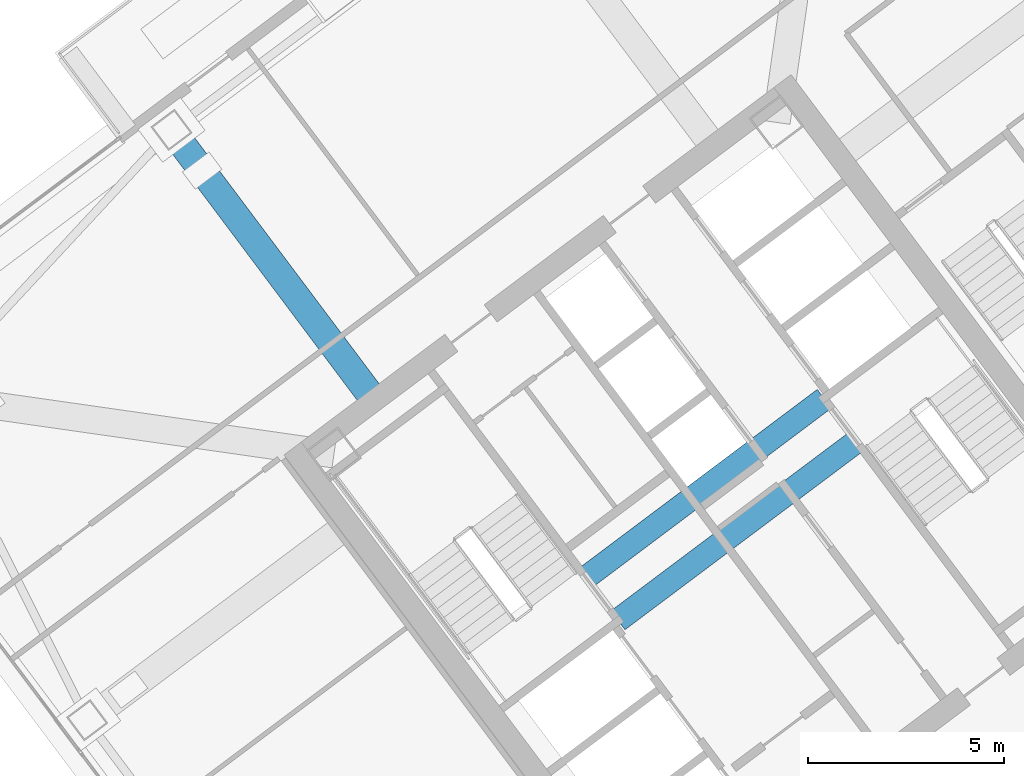
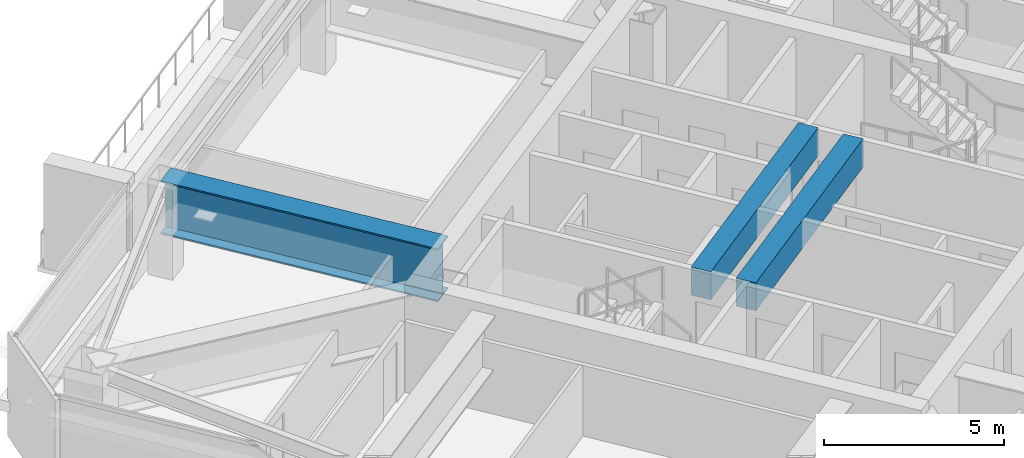
# One storey, part 23 of 42: 3 beams.
"""IFC4 building model written with IfcOpenShell, lengths in metres."""

import ifcopenshell
import ifcopenshell.guid

model = None  # the IFC model being written
_history = None  # IfcOwnerHistory: only IFC2X3 demands one
_inside = {}  # id of a spatial element -> (the spatial element, [elements in it])
_under = {}  # id of a project, library or spatial element -> (it, [spatial elements below it])
_declared = {}  # id of a project -> (the project, [libraries it declares])
_typed = {}  # id of a type object -> (the type object, [elements of that type])
_made_of = {}  # id of a material, layer set ... -> (it, [elements and type objects made of it])


def new_model(schema):
    """Start an empty IFC model of exactly this schema.

    Asked for "IFC4X3", IfcOpenShell would pick the latest addendum, in which some entities
    have other attributes; the version numbers below select the first issue.
    IFC2X3 requires an IfcOwnerHistory on every rooted entity: one is made here for all.
    """
    global model, _history
    if schema == "IFC4X3":
        model = ifcopenshell.file(schema_version=(4, 3, 0, 0))
    else:
        model = ifcopenshell.file(schema=schema)
    _inside.clear()
    _under.clear()
    _declared.clear()
    _typed.clear()
    _made_of.clear()
    _history = None
    if model.schema == "IFC2X3":
        org = make("IfcOrganization", Name="unknown")
        user = make(
            "IfcPersonAndOrganization",
            ThePerson=make("IfcPerson", FamilyName="unknown"),
            TheOrganization=org,
        )
        app = make(
            "IfcApplication",
            ApplicationDeveloper=org,
            Version="unknown",
            ApplicationFullName="unknown",
            ApplicationIdentifier="unknown",
        )
        _history = make(
            "IfcOwnerHistory",
            OwningUser=user,
            OwningApplication=app,
            ChangeAction="ADDED",
            CreationDate=0,
        )
    return model


def make(cls, **values):
    """One entity of the class cls with the attributes given. An attribute that is None is left unset."""
    return model.create_entity(
        cls, **{name: value for name, value in values.items() if value is not None}
    )


def rooted(cls, **values):
    """An entity with a GlobalId (a new one), such as an element, a storey or a relation."""
    return make(cls, GlobalId=ifcopenshell.guid.new(), OwnerHistory=_history, **values)


def si_unit(unit_type, name, prefix=None):
    """IfcSIUnit, for example si_unit("LENGTHUNIT", "METRE", prefix="MILLI")."""
    return make("IfcSIUnit", UnitType=unit_type, Prefix=prefix, Name=name)


def assignment(units):
    """IfcUnitAssignment: the units of a project."""
    return None if units is None else make("IfcUnitAssignment", Units=units)


def point(xyz):
    """IfcCartesianPoint."""
    return None if xyz is None else make("IfcCartesianPoint", Coordinates=xyz)


def direction(xyz):
    """IfcDirection."""
    return None if xyz is None else make("IfcDirection", DirectionRatios=xyz)


def frame(location, z_axis=None, x_axis=None):
    """IfcAxis2Placement3D, a coordinate frame: its origin and axes. An axis left out is left unset."""
    return make(
        "IfcAxis2Placement3D",
        Location=point(location),
        Axis=direction(z_axis),
        RefDirection=direction(x_axis),
    )


def frame_2d(location, x_axis=None):
    """IfcAxis2Placement2D, a coordinate frame in the plane: its origin and x axis."""
    return make(
        "IfcAxis2Placement2D", Location=point(location), RefDirection=direction(x_axis)
    )


def origin():
    """The frame at (0, 0, 0) with its axes left unset."""
    return frame((0.0, 0.0, 0.0))


def origin_2d():
    """The frame at (0, 0) in the plane with its x axis left unset."""
    return frame_2d((0.0, 0.0))


def place(relative_to, where):
    """IfcLocalPlacement: puts the frame where relative to a parent placement (None: the world)."""
    return make(
        "IfcLocalPlacement", PlacementRelTo=relative_to, RelativePlacement=where
    )


def context(
    kind, dimensions, precision=None, world=None, true_north=None, identifier=None
):
    """IfcGeometricRepresentationContext, for example the 3D "Model" context."""
    return make(
        "IfcGeometricRepresentationContext",
        ContextIdentifier=identifier,
        ContextType=kind,
        CoordinateSpaceDimension=dimensions,
        Precision=precision,
        WorldCoordinateSystem=world,
        TrueNorth=true_north,
    )


def subcontext(parent, identifier, kind, view, scale=None):
    """IfcGeometricRepresentationSubContext, for example "Body" below "Model"."""
    return make(
        "IfcGeometricRepresentationSubContext",
        ContextIdentifier=identifier,
        ContextType=kind,
        ParentContext=parent,
        TargetScale=scale,
        TargetView=view,
    )


def project(units=None, contexts=None):
    """IfcProject with its units and contexts."""
    return rooted(
        "IfcProject",
        Name="project",
        RepresentationContexts=contexts,
        UnitsInContext=assignment(units),
    )


def spatial(cls, under=None, at=None, **own):
    """A site, building, storey or space (cls), placed at a placement, below another one or the project."""
    s = rooted(cls, ObjectPlacement=at, **own)
    if under is not None:
        _under.setdefault(under.id(), (under, []))[1].append(s)
    return s


def profile(cls, at=None, kind="AREA", **sizes):
    """A parametric profile (cls). Its sizes go by their IFC names, for example OverallWidth=200.0."""
    return make(cls, ProfileType=kind, Position=at, **sizes)


def rectangle(**sizes):
    """IfcRectangleProfileDef."""
    return profile("IfcRectangleProfileDef", **sizes)


def i_section(**sizes):
    """IfcIShapeProfileDef."""
    return profile("IfcIShapeProfileDef", **sizes)


def extrude(swept, where, along, depth):
    """IfcExtrudedAreaSolid: the profile swept, set in the frame where, extruded along a direction by depth."""
    return make(
        "IfcExtrudedAreaSolid",
        SweptArea=swept,
        Position=where,
        ExtrudedDirection=direction(along),
        Depth=depth,
    )


def shape(context_of_items, identifier, shape_type, items):
    """IfcShapeRepresentation: the items that make up one representation, for example the "Body"."""
    return make(
        "IfcShapeRepresentation",
        ContextOfItems=context_of_items,
        RepresentationIdentifier=identifier,
        RepresentationType=shape_type,
        Items=items,
    )


def material(Name=None, Category=None):
    """IfcMaterial."""
    return make("IfcMaterial", Name=Name, Category=Category)


def material_profile(
    of_material, cross_section, Name=None, Category=None, Priority=None
):
    """IfcMaterialProfile: a cross section and its material."""
    return make(
        "IfcMaterialProfile",
        Name=Name,
        Material=of_material,
        Profile=cross_section,
        Priority=Priority,
        Category=Category,
    )


def profile_set(profiles, Name=None, composite=None):
    """IfcMaterialProfileSet."""
    return make(
        "IfcMaterialProfileSet",
        Name=Name,
        MaterialProfiles=profiles,
        CompositeProfile=composite,
    )


def made_of(thing, what):
    """Note that an element or type object is made of a material, layer set ...; save() writes the relation."""
    if what is not None:
        _made_of.setdefault(what.id(), (what, []))[1].append(thing)
    return thing


def type_object(cls, material=None, **own):
    """A type object (cls), such as IfcWallType, which elements share."""
    return made_of(rooted(cls, **own), material)


def element(
    cls,
    number,
    at=None,
    inside=None,
    cuts=None,
    type_object=None,
    material=None,
    context=None,
    identifier="Body",
    shape_type=None,
    held_by="IfcProductDefinitionShape",
    body=None,
    shapes=None,
    **own,
):
    """One element of the class cls, such as IfcWall. Its Tag is "e" and its number.

    at: its placement. inside: the storey or other place that contains it. cuts: it is an
    opening in that element (IfcRelVoidsElement). A single representation is given by context,
    identifier, shape_type and body (its items); several are given by shapes. held_by: the class
    of the entity that holds the representations. save() writes the other relations.
    """
    e = rooted(cls, Tag="e%d" % number, ObjectPlacement=at, **own)
    if body is not None:
        shapes = [shape(context, identifier, shape_type, body)]
    if shapes is not None:
        e.Representation = make(held_by, Representations=shapes)
    if inside is not None:
        _inside.setdefault(inside.id(), (inside, []))[1].append(e)
    if cuts is not None:
        rooted(
            "IfcRelVoidsElement", RelatingBuildingElement=cuts, RelatedOpeningElement=e
        )
    if type_object is not None:
        _typed.setdefault(type_object.id(), (type_object, []))[1].append(e)
    return made_of(e, material)


def aggregate(whole, parts):
    """IfcRelAggregates: a whole, such as a stair, and the parts it consists of."""
    return rooted("IfcRelAggregates", RelatingObject=whole, RelatedObjects=parts)


def save(model, path):
    """Write the relations noted so far, then the file.

    IfcRelAggregates (storeys below a building ...), IfcRelContainedInSpatialStructure (elements
    in a storey), IfcRelDefinesByType, IfcRelAssociatesMaterial and IfcRelDeclares: one each for
    every whole, place, type object, material and project.
    """
    for whole, parts in _under.values():
        aggregate(whole, parts)
    for where, things in _inside.values():
        rooted(
            "IfcRelContainedInSpatialStructure",
            RelatedElements=things,
            RelatingStructure=where,
        )
    for kind, things in _typed.values():
        rooted("IfcRelDefinesByType", RelatedObjects=things, RelatingType=kind)
    for what, things in _made_of.values():
        rooted("IfcRelAssociatesMaterial", RelatedObjects=things, RelatingMaterial=what)
    for by, libraries in _declared.values():
        rooted("IfcRelDeclares", RelatingContext=by, RelatedDefinitions=libraries)
    model.write(path)


model = new_model("IFC4")

# Units and contexts
model_context = context("Model", 3, precision=1e-05, world=origin(), true_north=direction((0.0, 1.0)))
body_context = subcontext(model_context, "Body", "Model", "MODEL_VIEW")
ifc_project = project(units=[si_unit("LENGTHUNIT", "METRE"), si_unit("AREAUNIT", "SQUARE_METRE"), si_unit("VOLUMEUNIT", "CUBIC_METRE"), si_unit("PLANEANGLEUNIT", "RADIAN"), si_unit("MASSUNIT", "GRAM", prefix="KILO")], contexts=[model_context])

# Site, building, storey
site_placement = place(None, origin())
site = spatial("IfcSite", under=ifc_project, at=site_placement, CompositionType="ELEMENT")
building_placement = place(site_placement, origin())
building = spatial("IfcBuilding", under=site, at=building_placement, Name="Tashvorn Skyway Center", CompositionType="ELEMENT")
storey_placement = place(building_placement, frame((0.0, 0.0, 196.050048828125)))
storey = spatial("IfcBuildingStorey", under=building, at=storey_placement, Name="L53", CompositionType="ELEMENT", Elevation=196.050048828125)

# Beams
ifc_material_1 = material(Name="Steel ASTM A572 Grade 50", Category="steel")
ifc_material_profile_1 = material_profile(ifc_material_1, i_section(OverallWidth=0.699951171875, OverallDepth=1.800048828125, WebThickness=0.031982421875, FlangeThickness=0.050048828125, at=origin_2d()), Name="PG1800x700")
ifc_profile_set_1 = profile_set([ifc_material_profile_1], Name="Steel ASTM A572 Grade 50")
beam_type_1 = type_object("IfcBeamType", Name="BM-BEAM-PG1800x700", PredefinedType="BEAM", material=ifc_profile_set_1)
beam_placement = place(storey_placement, frame((99.989990234375, 41.679931640625, 2.349853515625), z_axis=(0.599995333035, -0.800003500202, 0.0), x_axis=(0.800003500202, 0.599995333035, 0.0)))
element("IfcBeam", 1, at=beam_placement, inside=storey, type_object=beam_type_1, Name="Tower 2 L53 Setback Transfer Girder FC-N2", PredefinedType="BEAM", context=body_context, shape_type="SweptSolid", body=[
    extrude(i_section(OverallWidth=0.699951171875, OverallDepth=1.800048828125, WebThickness=0.031982421875, FlangeThickness=0.050048828125, at=origin_2d()), origin(), (0.0, 0.0, 1.0), 8.3701171875),
])
ifc_material_2 = material(Name="Concrete C60/75", Category="concrete")
ifc_material_profile_2 = material_profile(ifc_material_2, rectangle(XDim=0.60009765625, YDim=0.949951171875, at=origin_2d()), Name="RCB600x950")
ifc_profile_set_2 = profile_set([ifc_material_profile_2], Name="Concrete C60/75")
beam_type_2 = type_object("IfcBeamType", Name="BM-LINTEL-RCB600x950", PredefinedType="LINTEL", material=ifc_profile_set_2)
for number, where, z_axis, x_axis, name in (
    (2, (110.552001953125, 30.263916015625, 2.77490234375), (0.8, 0.6, 0.0), (-0.6, 0.8, 0.0), "Tower 2 L53 Core Coupling Beam CN"),
    (3, (111.367919921875, 29.176025390625, 2.77490234375), (0.8, 0.6, 0.0), (-0.6, 0.8, 0.0), "Tower 2 L53 Core Coupling Beam CS"),
):
    element("IfcBeam", number, at=place(storey_placement, frame(where, z_axis=z_axis, x_axis=x_axis)), inside=storey, type_object=beam_type_2, Name=name, PredefinedType="LINTEL", context=body_context, shape_type="SweptSolid", body=[
        extrude(rectangle(XDim=0.60009765625, YDim=0.949951171875, at=origin_2d()), origin(), (0.0, 0.0, 1.0), 7.60009765625),
    ])

save(model, "model.ifc")
